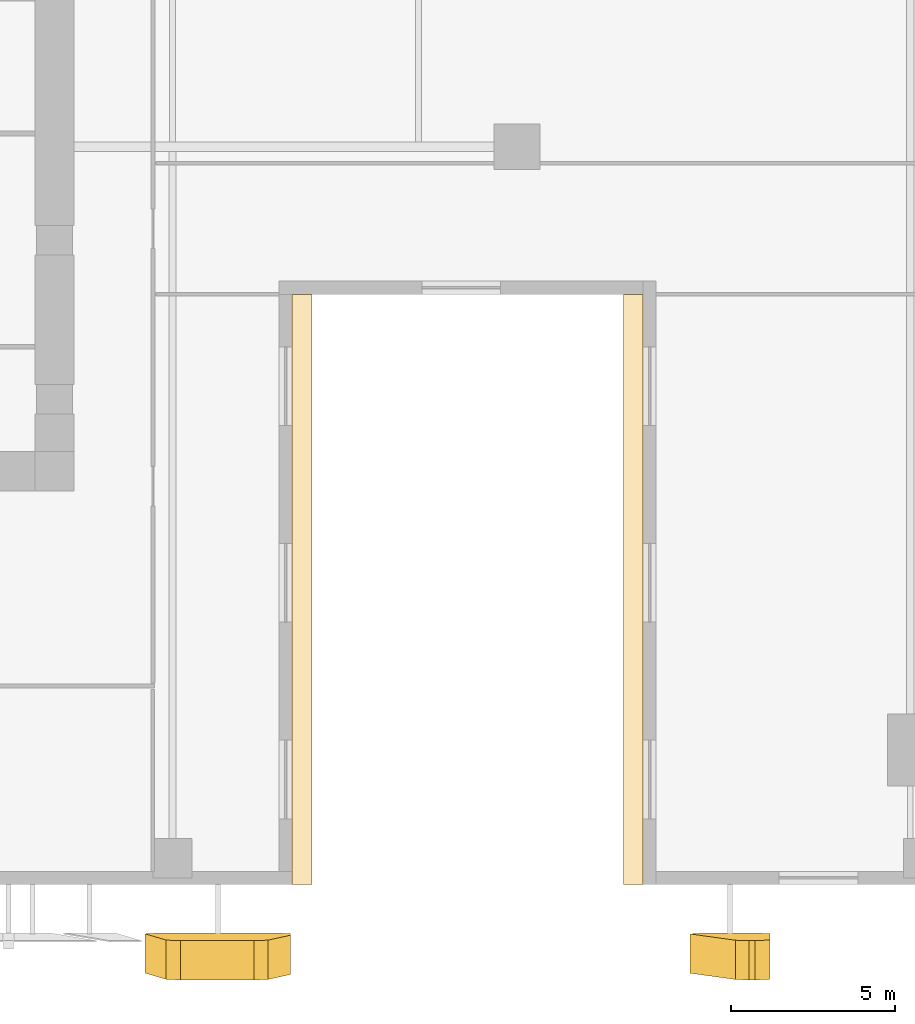
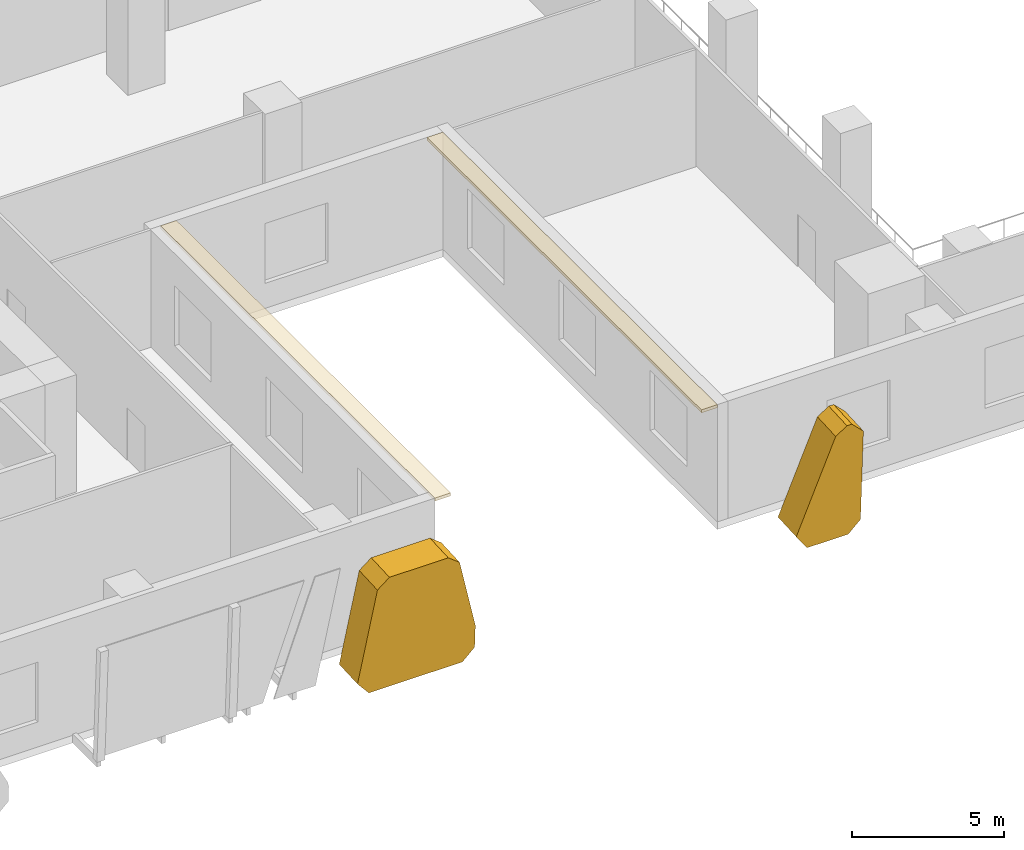
# One storey, part 18 of 23: 4 coverings.
"""IFC4 building model written with IfcOpenShell, lengths in metres."""

from ifc_helpers import new_model, si_unit, direction, frame, origin, place, context, subcontext, project, spatial, polyline, outline, extrude, source, transform, mapped, material, layer, layer_set, type_object, element, save


model = new_model("IFC4")

# Units and contexts
model_context = context("Model", 3, precision=1e-05, world=origin(), true_north=direction((0.0, 1.0)))
body_context = subcontext(model_context, "Body", "Model", "MODEL_VIEW")
ifc_project = project(units=[si_unit("LENGTHUNIT", "METRE"), si_unit("AREAUNIT", "SQUARE_METRE"), si_unit("VOLUMEUNIT", "CUBIC_METRE"), si_unit("PLANEANGLEUNIT", "RADIAN"), si_unit("MASSUNIT", "GRAM", prefix="KILO")], contexts=[model_context])

# Site, building, storey
site_placement = place(None, origin())
site = spatial("IfcSite", under=ifc_project, at=site_placement, CompositionType="ELEMENT")
building_placement = place(site_placement, origin())
building = spatial("IfcBuilding", under=site, at=building_placement, Name="Khomas Fold Tower", CompositionType="ELEMENT")
storey_placement = place(building_placement, frame((0.0, 0.0, 18.5)))
storey = spatial("IfcBuildingStorey", under=building, at=storey_placement, Name="L03", CompositionType="ELEMENT", Elevation=18.5)

# Coverings
ifc_material_1 = material(Name="Natural stone cladding", Category="masonry")
ifc_layer_1 = layer(ifc_material_1, 1.199951171875)
ifc_layer_set_1 = layer_set([ifc_layer_1], Name="Natural stone cladding")
covering_type_1 = type_object("IfcCoveringType", Name="SK-Karibib marble stone panel", PredefinedType="CLADDING", material=ifc_layer_set_1)
covering_1_placement = place(storey_placement, frame((30.14990234375, -1.4765625, 0.0), z_axis=(3.695557e-06, 0.998630872421, 0.052310425668), x_axis=(-0.999999999993, 3.690497e-06, 1.93316e-07)))
element("IfcCovering", 1, at=covering_1_placement, inside=storey, type_object=covering_type_1, Name="OUTER SKIN leaf L03 SS06-2", PredefinedType="CLADDING", context=body_context, shape_type="SweptSolid", body=[
    extrude(outline(polyline([(0.0, 0.0), (3.5473632812257767, 0.0), (3.9904785159175686, 0.5290401088952174), (3.345458983872827, 4.183957813124525), (2.902343750201835, 4.556283824436954), (0.6730957033420576, 4.556283824436954), (0.23608398401002778, 4.212559784469273), (-0.4501953126411953, 1.34339405434194), (-0.4501953120101239, 0.45056115692115395), (0.0, 0.0)])), origin(), (0.0, 0.0, -1.0), 1.199951171875),
])
covering_2_placement = place(storey_placement, frame((42.781005859375, -1.50830078125, 0.609375), z_axis=(2.4640297e-05, 0.998631193512, 0.052304289854), x_axis=(0.353753834202, -0.048930923918, 0.934057808421)))
element("IfcCovering", 2, at=covering_2_placement, inside=storey, type_object=covering_type_1, Name="OUTER SKIN leaf L03 SS09-3", PredefinedType="CLADDING", context=body_context, shape_type="SweptSolid", body=[
    extrude(outline(polyline([(0.0, 0.0), (3.907587961302434, 2.220446049250313e-16), (4.3288204264578045, 0.29068173449137036), (4.394544710595437, 0.46445923574112125), (4.132289438822645, 1.0447036575871491), (0.7134759285562083, 2.3377310513064713), (0.13287675227446438, 2.0762621096747305), (-0.4218500243562997, 0.609543462464283), (0.0, 0.0)])), origin(), (0.0, 0.0, -1.0), 1.199951171875),
])
ifc_material_2 = material(Name="Natural stone cladding", Category="masonry")
ifc_layer_2 = layer(ifc_material_2, 0.1201171875)
ifc_layer_set_2 = layer_set([ifc_layer_2], Name="Natural stone cladding")
covering_type_2 = type_object("IfcCoveringType", Name="Notch soffit stone GN-SF", PredefinedType="CLADDING", material=ifc_layer_set_2)
shared_shape_1 = source(origin(), body_context, "Body", "SweptSolid", [
    extrude(outline(polyline([(40.75, 18.0), (40.75, 0.0), (41.35009765625, 0.0), (41.35009765625, 18.0), (40.75, 18.0)])), origin(), (0.0, 0.0, 1.0), 0.119873046875),
])
covering_3_placement = place(storey_placement, frame((0.0, 0.0, 4.580078125)))
element("IfcCovering", 3, at=covering_3_placement, inside=storey, type_object=covering_type_2, Name="Notch soffit stone", PredefinedType="CLADDING", context=body_context, shape_type="MappedRepresentation", body=[
    mapped(shared_shape_1, transform((0.0, 0.0, 0.0))),
])
shared_shape_2 = source(origin(), body_context, "Body", "SweptSolid", [
    extrude(outline(polyline([(31.25, 0.0), (31.25, 18.0), (30.64990234375, 18.0), (30.64990234375, 0.0), (31.25, 0.0)])), origin(), (0.0, 0.0, 1.0), 0.119873046875),
])
covering_4_placement = place(storey_placement, frame((0.0, 0.0, 4.580078125)))
element("IfcCovering", 4, at=covering_4_placement, inside=storey, type_object=covering_type_2, Name="Notch soffit stone", PredefinedType="CLADDING", context=body_context, shape_type="MappedRepresentation", body=[
    mapped(shared_shape_2, transform((0.0, 0.0, 0.0))),
])

save(model, "model.ifc")
